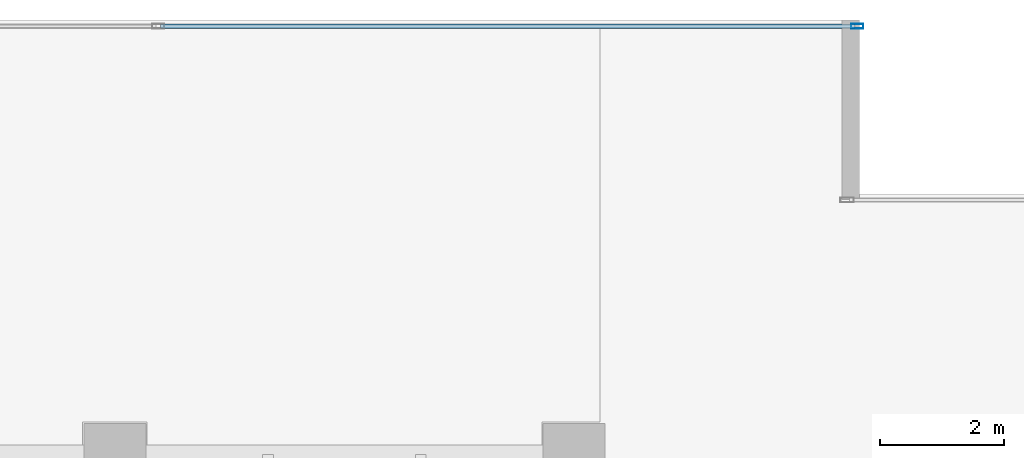
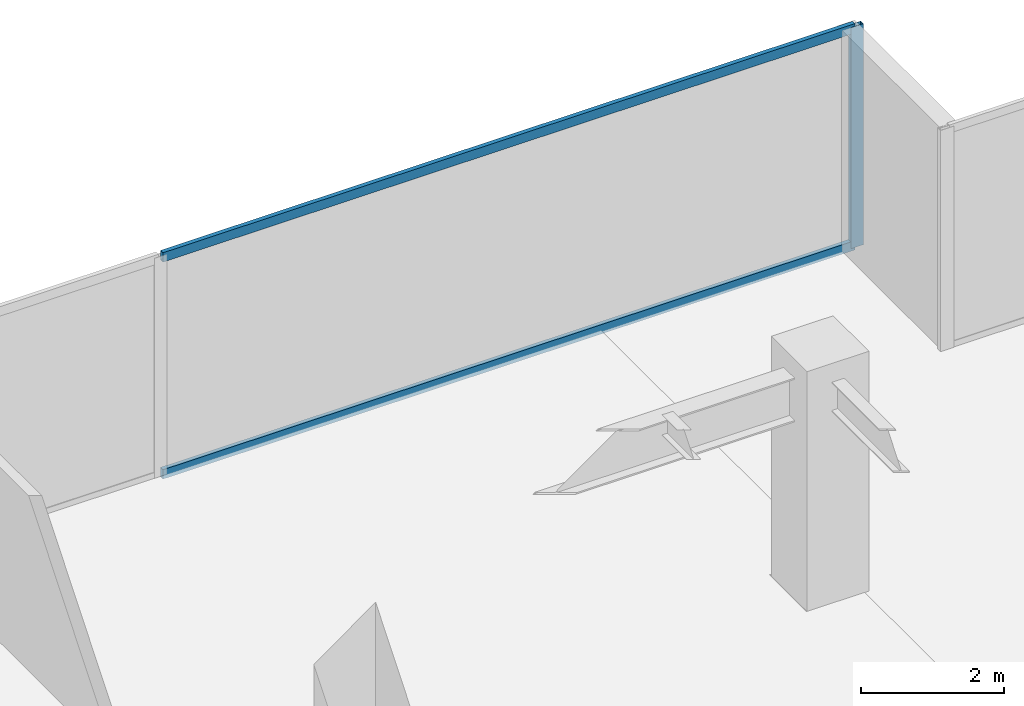
# One storey, part 27 of 36: 3 members, 1 element without a shape of its own.
"""IFC4 building model written with IfcOpenShell, lengths in metres."""

import ifcopenshell
import ifcopenshell.guid

model = None  # the IFC model being written
_history = None  # IfcOwnerHistory: only IFC2X3 demands one
_inside = {}  # id of a spatial element -> (the spatial element, [elements in it])
_under = {}  # id of a project, library or spatial element -> (it, [spatial elements below it])
_declared = {}  # id of a project -> (the project, [libraries it declares])
_typed = {}  # id of a type object -> (the type object, [elements of that type])
_made_of = {}  # id of a material, layer set ... -> (it, [elements and type objects made of it])


def new_model(schema):
    """Start an empty IFC model of exactly this schema.

    Asked for "IFC4X3", IfcOpenShell would pick the latest addendum, in which some entities
    have other attributes; the version numbers below select the first issue.
    IFC2X3 requires an IfcOwnerHistory on every rooted entity: one is made here for all.
    """
    global model, _history
    if schema == "IFC4X3":
        model = ifcopenshell.file(schema_version=(4, 3, 0, 0))
    else:
        model = ifcopenshell.file(schema=schema)
    _inside.clear()
    _under.clear()
    _declared.clear()
    _typed.clear()
    _made_of.clear()
    _history = None
    if model.schema == "IFC2X3":
        org = make("IfcOrganization", Name="unknown")
        user = make(
            "IfcPersonAndOrganization",
            ThePerson=make("IfcPerson", FamilyName="unknown"),
            TheOrganization=org,
        )
        app = make(
            "IfcApplication",
            ApplicationDeveloper=org,
            Version="unknown",
            ApplicationFullName="unknown",
            ApplicationIdentifier="unknown",
        )
        _history = make(
            "IfcOwnerHistory",
            OwningUser=user,
            OwningApplication=app,
            ChangeAction="ADDED",
            CreationDate=0,
        )
    return model


def make(cls, **values):
    """One entity of the class cls with the attributes given. An attribute that is None is left unset."""
    return model.create_entity(
        cls, **{name: value for name, value in values.items() if value is not None}
    )


def rooted(cls, **values):
    """An entity with a GlobalId (a new one), such as an element, a storey or a relation."""
    return make(cls, GlobalId=ifcopenshell.guid.new(), OwnerHistory=_history, **values)


def si_unit(unit_type, name, prefix=None):
    """IfcSIUnit, for example si_unit("LENGTHUNIT", "METRE", prefix="MILLI")."""
    return make("IfcSIUnit", UnitType=unit_type, Prefix=prefix, Name=name)


def assignment(units):
    """IfcUnitAssignment: the units of a project."""
    return None if units is None else make("IfcUnitAssignment", Units=units)


def point(xyz):
    """IfcCartesianPoint."""
    return None if xyz is None else make("IfcCartesianPoint", Coordinates=xyz)


def direction(xyz):
    """IfcDirection."""
    return None if xyz is None else make("IfcDirection", DirectionRatios=xyz)


def frame(location, z_axis=None, x_axis=None):
    """IfcAxis2Placement3D, a coordinate frame: its origin and axes. An axis left out is left unset."""
    return make(
        "IfcAxis2Placement3D",
        Location=point(location),
        Axis=direction(z_axis),
        RefDirection=direction(x_axis),
    )


def frame_2d(location, x_axis=None):
    """IfcAxis2Placement2D, a coordinate frame in the plane: its origin and x axis."""
    return make(
        "IfcAxis2Placement2D", Location=point(location), RefDirection=direction(x_axis)
    )


def origin():
    """The frame at (0, 0, 0) with its axes left unset."""
    return frame((0.0, 0.0, 0.0))


def origin_2d():
    """The frame at (0, 0) in the plane with its x axis left unset."""
    return frame_2d((0.0, 0.0))


def place(relative_to, where):
    """IfcLocalPlacement: puts the frame where relative to a parent placement (None: the world)."""
    return make(
        "IfcLocalPlacement", PlacementRelTo=relative_to, RelativePlacement=where
    )


def context(
    kind, dimensions, precision=None, world=None, true_north=None, identifier=None
):
    """IfcGeometricRepresentationContext, for example the 3D "Model" context."""
    return make(
        "IfcGeometricRepresentationContext",
        ContextIdentifier=identifier,
        ContextType=kind,
        CoordinateSpaceDimension=dimensions,
        Precision=precision,
        WorldCoordinateSystem=world,
        TrueNorth=true_north,
    )


def subcontext(parent, identifier, kind, view, scale=None):
    """IfcGeometricRepresentationSubContext, for example "Body" below "Model"."""
    return make(
        "IfcGeometricRepresentationSubContext",
        ContextIdentifier=identifier,
        ContextType=kind,
        ParentContext=parent,
        TargetScale=scale,
        TargetView=view,
    )


def project(units=None, contexts=None):
    """IfcProject with its units and contexts."""
    return rooted(
        "IfcProject",
        Name="project",
        RepresentationContexts=contexts,
        UnitsInContext=assignment(units),
    )


def spatial(cls, under=None, at=None, **own):
    """A site, building, storey or space (cls), placed at a placement, below another one or the project."""
    s = rooted(cls, ObjectPlacement=at, **own)
    if under is not None:
        _under.setdefault(under.id(), (under, []))[1].append(s)
    return s


def profile(cls, at=None, kind="AREA", **sizes):
    """A parametric profile (cls). Its sizes go by their IFC names, for example OverallWidth=200.0."""
    return make(cls, ProfileType=kind, Position=at, **sizes)


def hollow_rectangle(**sizes):
    """IfcRectangleHollowProfileDef."""
    return profile("IfcRectangleHollowProfileDef", **sizes)


def extrude(swept, where, along, depth):
    """IfcExtrudedAreaSolid: the profile swept, set in the frame where, extruded along a direction by depth."""
    return make(
        "IfcExtrudedAreaSolid",
        SweptArea=swept,
        Position=where,
        ExtrudedDirection=direction(along),
        Depth=depth,
    )


def shape(context_of_items, identifier, shape_type, items):
    """IfcShapeRepresentation: the items that make up one representation, for example the "Body"."""
    return make(
        "IfcShapeRepresentation",
        ContextOfItems=context_of_items,
        RepresentationIdentifier=identifier,
        RepresentationType=shape_type,
        Items=items,
    )


def source(mapping_origin, context_of_items, identifier, shape_type, items):
    """IfcRepresentationMap: a shape defined once, which mapped items show again and again."""
    return make(
        "IfcRepresentationMap",
        MappingOrigin=mapping_origin,
        MappedRepresentation=shape(context_of_items, identifier, shape_type, items),
    )


def transform(
    local_origin,
    x_axis=None,
    y_axis=None,
    z_axis=None,
    scale=None,
    scale2=None,
    scale3=None,
    uniform=True,
):
    """IfcCartesianTransformationOperator3D, or its non-uniform kind. x_axis, y_axis, z_axis: its Axis1, 2, 3."""
    if uniform:
        return make(
            "IfcCartesianTransformationOperator3D",
            Axis1=direction(x_axis),
            Axis2=direction(y_axis),
            LocalOrigin=point(local_origin),
            Scale=scale,
            Axis3=direction(z_axis),
        )
    return make(
        "IfcCartesianTransformationOperator3DnonUniform",
        Axis1=direction(x_axis),
        Axis2=direction(y_axis),
        LocalOrigin=point(local_origin),
        Scale=scale,
        Axis3=direction(z_axis),
        Scale2=scale2,
        Scale3=scale3,
    )


def mapped(mapping_source, mapping_target):
    """IfcMappedItem: shows the shape of a source again, moved by a transform."""
    return make(
        "IfcMappedItem", MappingSource=mapping_source, MappingTarget=mapping_target
    )


def material(Name=None, Category=None):
    """IfcMaterial."""
    return make("IfcMaterial", Name=Name, Category=Category)


def layer(
    of_material, thickness, ventilated=None, Name=None, Category=None, Priority=None
):
    """IfcMaterialLayer: one layer of a wall or slab, of a material (None: an air gap)."""
    return make(
        "IfcMaterialLayer",
        Material=of_material,
        LayerThickness=thickness,
        IsVentilated=ventilated,
        Name=Name,
        Category=Category,
        Priority=Priority,
    )


def layer_set(layers, Name=None):
    """IfcMaterialLayerSet."""
    return make("IfcMaterialLayerSet", MaterialLayers=layers, LayerSetName=Name)


def material_profile(
    of_material, cross_section, Name=None, Category=None, Priority=None
):
    """IfcMaterialProfile: a cross section and its material."""
    return make(
        "IfcMaterialProfile",
        Name=Name,
        Material=of_material,
        Profile=cross_section,
        Priority=Priority,
        Category=Category,
    )


def profile_set(profiles, Name=None, composite=None):
    """IfcMaterialProfileSet."""
    return make(
        "IfcMaterialProfileSet",
        Name=Name,
        MaterialProfiles=profiles,
        CompositeProfile=composite,
    )


def made_of(thing, what):
    """Note that an element or type object is made of a material, layer set ...; save() writes the relation."""
    if what is not None:
        _made_of.setdefault(what.id(), (what, []))[1].append(thing)
    return thing


def type_object(cls, material=None, **own):
    """A type object (cls), such as IfcWallType, which elements share."""
    return made_of(rooted(cls, **own), material)


def type_shapes(of_type, sources):
    """Give a type object the sources (RepresentationMaps) that its elements show as mapped items."""
    of_type.RepresentationMaps = sources


def element(
    cls,
    number,
    at=None,
    inside=None,
    cuts=None,
    type_object=None,
    material=None,
    context=None,
    identifier="Body",
    shape_type=None,
    held_by="IfcProductDefinitionShape",
    body=None,
    shapes=None,
    **own,
):
    """One element of the class cls, such as IfcWall. Its Tag is "e" and its number.

    at: its placement. inside: the storey or other place that contains it. cuts: it is an
    opening in that element (IfcRelVoidsElement). A single representation is given by context,
    identifier, shape_type and body (its items); several are given by shapes. held_by: the class
    of the entity that holds the representations. save() writes the other relations.
    """
    e = rooted(cls, Tag="e%d" % number, ObjectPlacement=at, **own)
    if body is not None:
        shapes = [shape(context, identifier, shape_type, body)]
    if shapes is not None:
        e.Representation = make(held_by, Representations=shapes)
    if inside is not None:
        _inside.setdefault(inside.id(), (inside, []))[1].append(e)
    if cuts is not None:
        rooted(
            "IfcRelVoidsElement", RelatingBuildingElement=cuts, RelatedOpeningElement=e
        )
    if type_object is not None:
        _typed.setdefault(type_object.id(), (type_object, []))[1].append(e)
    return made_of(e, material)


def aggregate(whole, parts):
    """IfcRelAggregates: a whole, such as a stair, and the parts it consists of."""
    return rooted("IfcRelAggregates", RelatingObject=whole, RelatedObjects=parts)


def save(model, path):
    """Write the relations noted so far, then the file.

    IfcRelAggregates (storeys below a building ...), IfcRelContainedInSpatialStructure (elements
    in a storey), IfcRelDefinesByType, IfcRelAssociatesMaterial and IfcRelDeclares: one each for
    every whole, place, type object, material and project.
    """
    for whole, parts in _under.values():
        aggregate(whole, parts)
    for where, things in _inside.values():
        rooted(
            "IfcRelContainedInSpatialStructure",
            RelatedElements=things,
            RelatingStructure=where,
        )
    for kind, things in _typed.values():
        rooted("IfcRelDefinesByType", RelatedObjects=things, RelatingType=kind)
    for what, things in _made_of.values():
        rooted("IfcRelAssociatesMaterial", RelatedObjects=things, RelatingMaterial=what)
    for by, libraries in _declared.values():
        rooted("IfcRelDeclares", RelatingContext=by, RelatedDefinitions=libraries)
    model.write(path)


model = new_model("IFC4")

# Units and contexts
model_context = context("Model", 3, precision=1e-05, world=origin(), true_north=direction((0.0, 1.0)))
body_context = subcontext(model_context, "Body", "Model", "MODEL_VIEW")
ifc_project = project(units=[si_unit("LENGTHUNIT", "METRE"), si_unit("AREAUNIT", "SQUARE_METRE"), si_unit("VOLUMEUNIT", "CUBIC_METRE"), si_unit("PLANEANGLEUNIT", "RADIAN"), si_unit("MASSUNIT", "GRAM", prefix="KILO")], contexts=[model_context])

# Site, building, storey
site_placement = place(None, origin())
site = spatial("IfcSite", under=ifc_project, at=site_placement, CompositionType="ELEMENT")
building_placement = place(site_placement, origin())
building = spatial("IfcBuilding", under=site, at=building_placement, Name="Haelvirn Gate Laboratories", CompositionType="ELEMENT")
storey_placement = place(building_placement, frame((0.0, 0.0, 49.800048828125)))
storey = spatial("IfcBuildingStorey", under=building, at=storey_placement, Name="L12", CompositionType="ELEMENT", Elevation=49.800048828125)

# Curtain wall, members
ifc_material_1 = material(Name="Anodised bronze unitised aluminium & triple low-E glass", Category="aluminium")
ifc_layer = layer(ifc_material_1, 0.18408203125, Name="CW-SYS-2")
ifc_layer_set = layer_set([ifc_layer], Name="Anodised bronze unitised aluminium & triple low-E glass")
curtain_wall_type = type_object("IfcCurtainWallType", Name="CW-SYS-2", PredefinedType="NOTDEFINED", material=ifc_layer_set)
curtain_wall_placement = place(storey_placement, origin())
curtain_wall = element("IfcCurtainWall", 1, at=curtain_wall_placement, inside=storey, type_object=curtain_wall_type, Name="L12 Unitised Curtain Wall CW-L12-P0-E10-1", PredefinedType="NOTDEFINED")
ifc_material_2 = material(Name="Extruded aluminium 6063-T6 (anodised bronze)", Category="aluminium")
ifc_material_profile_1 = material_profile(ifc_material_2, hollow_rectangle(XDim=0.074951171875, YDim=0.199951171875, WallThickness=0.0048828125, at=origin_2d()), Name="CWM-200x75x5")
ifc_profile_set_1 = profile_set([ifc_material_profile_1], Name="Extruded aluminium 6063-T6 (anodised bronze)")
member_type_1 = type_object("IfcMemberType", Name="CWM-T200", PredefinedType="MULLION", material=ifc_profile_set_1)
shared_shape_1 = source(origin(), body_context, "Body", "SweptSolid", [
    extrude(hollow_rectangle(XDim=0.074951171875, YDim=0.199951171875, WallThickness=0.0048828125, at=origin_2d()), origin(), (0.0, 0.0, 1.0), 3.780029296875),
])
type_shapes(member_type_1, [shared_shape_1])
member_1_placement = place(storey_placement, frame((71.96240234375, 48.5, 0.0), z_axis=(0.0, 0.0, 1.0), x_axis=(0.0, 1.0, 0.0)))
member_1 = element("IfcMember", 2, at=member_1_placement, type_object=member_type_1, Name="CW2 mullion 3", PredefinedType="MULLION", context=body_context, shape_type="MappedRepresentation", body=[
    mapped(shared_shape_1, transform((0.0, 0.0, 0.0), scale=1.0)),
])
ifc_material_profile_2 = material_profile(ifc_material_2, hollow_rectangle(XDim=0.070068359375, YDim=0.159912109375, WallThickness=0.0048828125, at=origin_2d()), Name="CWT-160x70x5")
ifc_profile_set_2 = profile_set([ifc_material_profile_2], Name="Extruded aluminium 6063-T6 (anodised bronze)")
member_type_2 = type_object("IfcMemberType", Name="CWT-T160", PredefinedType="USERDEFINED", material=ifc_profile_set_2)
shared_shape_2 = source(origin(), body_context, "Body", "SweptSolid", [
    extrude(hollow_rectangle(XDim=0.070068359375, YDim=0.159912109375, WallThickness=0.0048828125, at=origin_2d()), origin(), (0.0, 0.0, 1.0), 11.1875),
])
type_shapes(member_type_2, [shared_shape_2])
member_2_placement = place(storey_placement, frame((60.737548828125, 48.5, 0.034912109375), z_axis=(1.0, 0.0, 0.0), x_axis=(0.0, 1.0, 0.0)))
member_2 = element("IfcMember", 3, at=member_2_placement, type_object=member_type_2, Name="CW2 transom 2.1", ObjectType="TRANSOM", PredefinedType="USERDEFINED", context=body_context, shape_type="MappedRepresentation", body=[
    mapped(shared_shape_2, transform((0.0, 0.0, 0.0), scale=1.0)),
])
member_3_placement = place(storey_placement, frame((60.737548828125, 48.5, 3.744873046875), z_axis=(1.0, 0.0, 0.0), x_axis=(0.0, 1.0, 0.0)))
member_3 = element("IfcMember", 4, at=member_3_placement, type_object=member_type_2, Name="CW2 transom 2.2", ObjectType="TRANSOM", PredefinedType="USERDEFINED", context=body_context, shape_type="MappedRepresentation", body=[
    mapped(shared_shape_2, transform((0.0, 0.0, 0.0), scale=1.0)),
])
aggregate(curtain_wall, [member_1, member_2, member_3])

save(model, "model.ifc")
